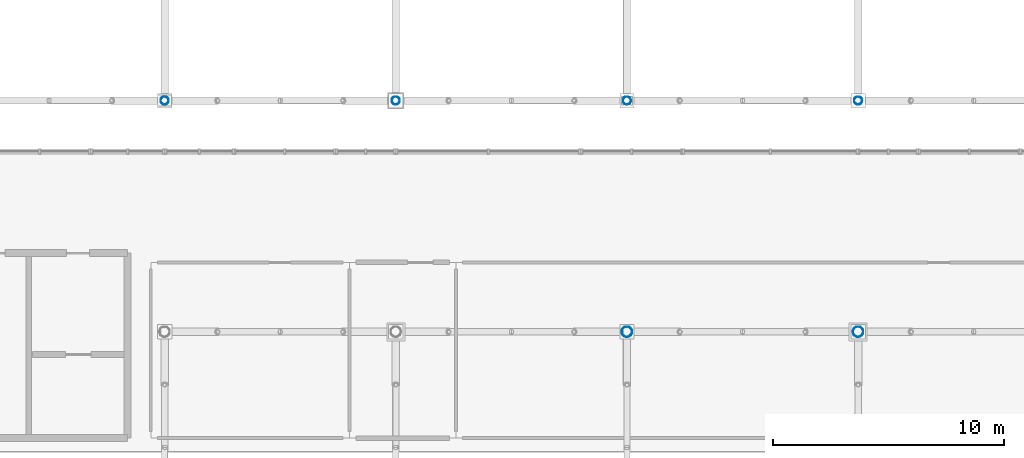
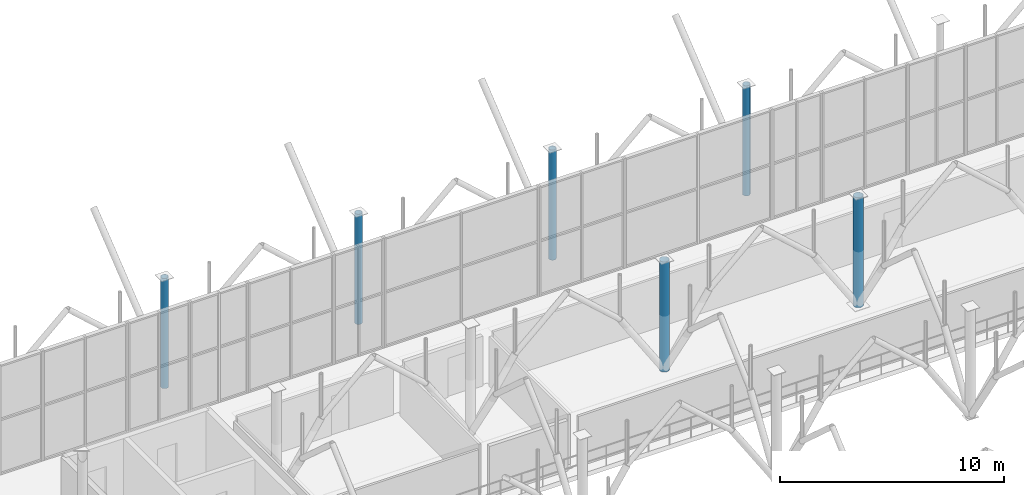
# One storey, part 7 of 109: 6 columns.
"""IFC4 building model written with IfcOpenShell, lengths in metres."""

from ifc_helpers import new_model, si_unit, derived_unit, direction, frame, origin, origin_2d_with_axis, place, context, subcontext, project, spatial, hollow_circle, extrude, material, material_profile, profile_set, type_object, element, save


model = new_model("IFC4")

# Units and contexts
model_context = context("Model", 3, precision=1e-05, world=origin(), true_north=direction((0.0, 1.0)))
body_context = subcontext(model_context, "Body", "Model", "MODEL_VIEW")
ifc_project = project(units=[si_unit("LENGTHUNIT", "METRE"), si_unit("AREAUNIT", "SQUARE_METRE"), si_unit("VOLUMEUNIT", "CUBIC_METRE"), si_unit("PLANEANGLEUNIT", "RADIAN"), si_unit("MASSUNIT", "GRAM", prefix="KILO"), derived_unit("THERMALTRANSMITTANCEUNIT", [(si_unit("POWERUNIT", "WATT"), 1), (si_unit("LENGTHUNIT", "METRE"), -2), (si_unit("THERMODYNAMICTEMPERATUREUNIT", "KELVIN"), -1)])], contexts=[model_context])

# Site, building, storey
site_placement = place(None, origin())
site = spatial("IfcSite", under=ifc_project, at=site_placement, CompositionType="ELEMENT")
building_placement = place(site_placement, origin())
building = spatial("IfcBuilding", under=site, at=building_placement, Name="Cinnabar Yard Market Hall", CompositionType="ELEMENT")
storey_placement = place(building_placement, frame((0.0, 0.0, 8.39990234375)))
storey = spatial("IfcBuildingStorey", under=building, at=storey_placement, Name="L02", CompositionType="ELEMENT", Elevation=8.39990234375)

# Columns
ifc_material = material(Name="Spotted-gum glulam-clad steel Grade 350 (350 MPa)", Category="steel")
ifc_material_profile_1 = material_profile(ifc_material, hollow_circle(Radius=0.228515625, WallThickness=0.0126953125, at=origin_2d_with_axis()), Name="457.0x12.7CHS")
ifc_profile_set_1 = profile_set([ifc_material_profile_1], Name="Spotted-gum glulam-clad steel Grade 350 (350 MPa)")
column_type_1 = type_object("IfcColumnType", Name="COL-C01", PredefinedType="COLUMN", material=ifc_profile_set_1)
for number, where, z_axis, x_axis, name in (
    (1, (116.0, 64.0, 0.0), (0.0, 0.0, 1.0), (1.0, 0.0, 0.0), "Tree Column V1I-05-05 L02"),
    (2, (126.0, 64.0, 0.0), (0.0, 0.0, 1.0), (1.0, 0.0, 0.0), "Tree Column V1I-06-05 L02"),
):
    element("IfcColumn", number, at=place(storey_placement, frame(where, z_axis=z_axis, x_axis=x_axis)), inside=storey, type_object=column_type_1, Name=name, PredefinedType="COLUMN", context=body_context, shape_type="SweptSolid", body=[
        extrude(hollow_circle(Radius=0.228515625, WallThickness=0.0126953125, at=origin_2d_with_axis()), origin(), (0.0, 0.0, 1.0), 6.0),
    ])
ifc_material_profile_2 = material_profile(ifc_material, hollow_circle(Radius=0.177734375, WallThickness=0.0126953125, at=origin_2d_with_axis()), Name="355.6x12.7CHS")
ifc_profile_set_2 = profile_set([ifc_material_profile_2], Name="Spotted-gum glulam-clad steel Grade 350 (350 MPa)")
column_type_2 = type_object("IfcColumnType", Name="COL-C02E", PredefinedType="COLUMN", material=ifc_profile_set_2)
for number, where, z_axis, x_axis, name in (
    (3, (96.0, 74.0, 0.0), (0.0, 0.0, 1.0), (1.0, 0.0, 0.0), "Tree Column V1N-02 L02"),
    (4, (106.0, 74.0, 0.0), (0.0, 0.0, 1.0), (1.0, 0.0, 0.0), "Tree Column V1N-03 L02"),
    (5, (116.0, 74.0, 0.0), (0.0, 0.0, 1.0), (1.0, 0.0, 0.0), "Tree Column V1N-04 L02"),
    (6, (126.0, 74.0, 0.0), (0.0, 0.0, 1.0), (1.0, 0.0, 0.0), "Tree Column V1N-05 L02"),
):
    element("IfcColumn", number, at=place(storey_placement, frame(where, z_axis=z_axis, x_axis=x_axis)), inside=storey, type_object=column_type_2, Name=name, PredefinedType="COLUMN", context=body_context, shape_type="SweptSolid", body=[
        extrude(hollow_circle(Radius=0.177734375, WallThickness=0.0126953125, at=origin_2d_with_axis()), origin(), (0.0, 0.0, 1.0), 6.0),
    ])

save(model, "model.ifc")
